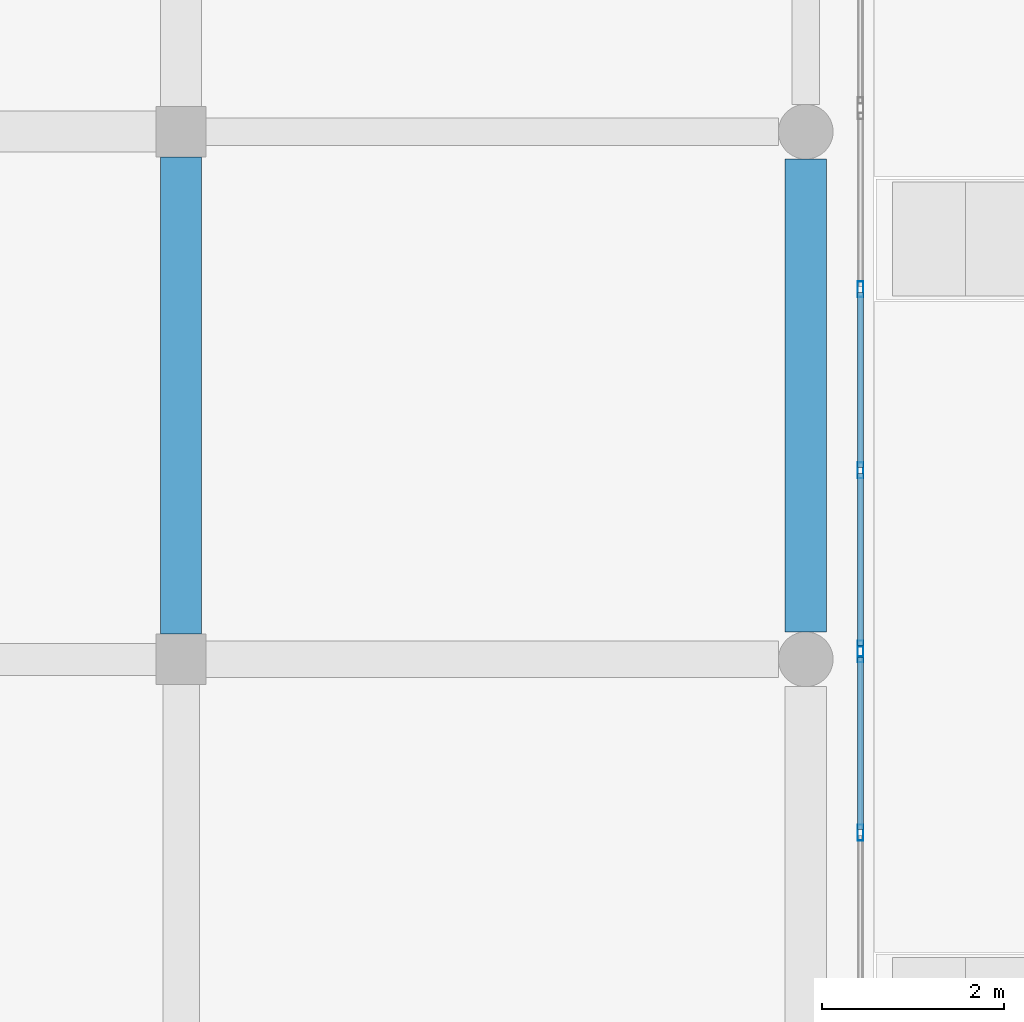
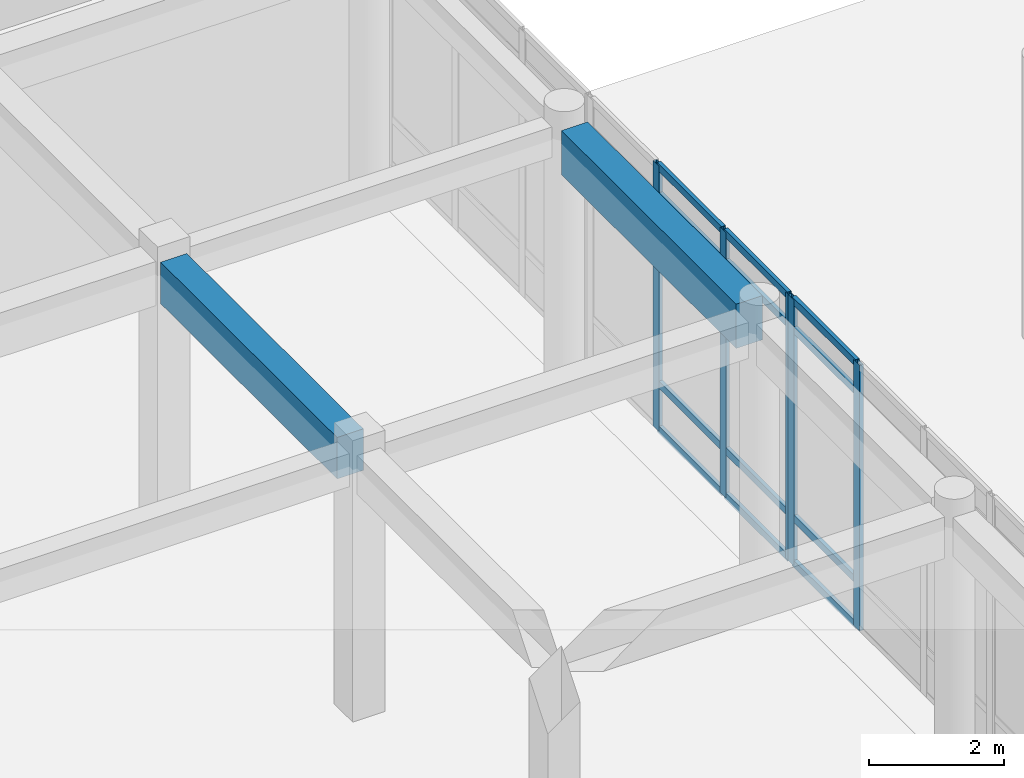
# One storey, part 38 of 121: 17 members, 2 beams, 2 elements without a shape of their own.
"""IFC4 building model written with IfcOpenShell, lengths in metres."""

from ifc_helpers import new_model, si_unit, direction, frame, origin, origin_2d, place, context, subcontext, project, spatial, rectangle, hollow_rectangle, extrude, material, layer, layer_set, material_profile, profile_set, type_object, element, aggregate, save


model = new_model("IFC4")

# Units and contexts
model_context = context("Model", 3, precision=1e-05, world=origin(), true_north=direction((0.0, 1.0)))
body_context = subcontext(model_context, "Body", "Model", "MODEL_VIEW")
ifc_project = project(units=[si_unit("LENGTHUNIT", "METRE"), si_unit("AREAUNIT", "SQUARE_METRE"), si_unit("VOLUMEUNIT", "CUBIC_METRE"), si_unit("PLANEANGLEUNIT", "RADIAN"), si_unit("MASSUNIT", "GRAM", prefix="KILO")], contexts=[model_context])

# Site, building, storey
site_placement = place(None, origin())
site = spatial("IfcSite", under=ifc_project, at=site_placement, CompositionType="ELEMENT")
building_placement = place(site_placement, origin())
building = spatial("IfcBuilding", under=site, at=building_placement, Name="Valcora Specialist Clinic", CompositionType="ELEMENT")
storey_placement = place(building_placement, origin())
storey = spatial("IfcBuildingStorey", under=building, at=storey_placement, Name="L00", CompositionType="ELEMENT", Elevation=0.0)

# Beams
ifc_material_1 = material(Name="Concrete C40/50", Category="concrete")
ifc_material_profile_1 = material_profile(ifc_material_1, rectangle(XDim=0.449951171875, YDim=0.75, at=origin_2d()), Name="RC-BM-450X750")
ifc_profile_set_1 = profile_set([ifc_material_profile_1], Name="Concrete C40/50")
beam_type_1 = type_object("IfcBeamType", Name="TY-BM-RC450X750", PredefinedType="BEAM", material=ifc_profile_set_1)
beam_1_placement = place(storey_placement, frame((22.39990234375, 62.16796875, 4.43505859375), z_axis=(0.0, 1.0, 0.0), x_axis=(-1.0, 0.0, 0.0)))
element("IfcBeam", 1, at=beam_1_placement, inside=storey, type_object=beam_type_1, Name="Beam BM-L00-0123", PredefinedType="BEAM", context=body_context, shape_type="SweptSolid", body=[
    extrude(rectangle(XDim=0.449951171875, YDim=0.75, at=origin_2d()), origin(), (0.0, 0.0, 1.0), 5.236083984375),
])
ifc_material_profile_2 = material_profile(ifc_material_1, rectangle(XDim=0.449951171875, YDim=0.800048828125, at=origin_2d()), Name="RC-BM-450X800")
ifc_profile_set_2 = profile_set([ifc_material_profile_2], Name="Concrete C40/50")
beam_type_2 = type_object("IfcBeamType", Name="TY-BM-RC450X800", PredefinedType="BEAM", material=ifc_profile_set_2)
beam_2_placement = place(storey_placement, frame((29.25, 62.193115234375, 4.409912109375), z_axis=(0.0, 1.0, 0.0), x_axis=(-1.0, 0.0, 0.0)))
element("IfcBeam", 2, at=beam_2_placement, inside=storey, type_object=beam_type_2, Name="Beam BM-L00-0130", PredefinedType="BEAM", context=body_context, shape_type="SweptSolid", body=[
    extrude(rectangle(XDim=0.449951171875, YDim=0.800048828125, at=origin_2d()), origin(), (0.0, 0.0, 1.0), 5.185791015625),
])

# Curtain wall, members
ifc_material_2 = material(Name="Anodized Bronze Aluminium 6063-T6", Category="aluminium")
ifc_layer = layer(ifc_material_2, 0.175048828125)
ifc_layer_set = layer_set([ifc_layer], Name="Anodized Bronze Aluminium 6063-T6")
curtain_wall_type = type_object("IfcCurtainWallType", Name="TY-CW-HAL18", PredefinedType="NOTDEFINED", material=ifc_layer_set)
curtain_wall_1_placement = place(storey_placement, origin())
curtain_wall_1 = element("IfcCurtainWall", 3, at=curtain_wall_1_placement, inside=storey, type_object=curtain_wall_type, Name="Curtain wall CW-L00-003", PredefinedType="NOTDEFINED")
ifc_material_profile_3 = material_profile(ifc_material_2, hollow_rectangle(XDim=0.06494140625, YDim=0.175048828125, WallThickness=0.00390625, at=origin_2d()), Name="AL-MUL-65X175")
ifc_profile_set_3 = profile_set([ifc_material_profile_3], Name="Anodized Bronze Aluminium 6063-T6")
member_type_1 = type_object("IfcMemberType", Name="TY-CWM-65X175", PredefinedType="MULLION", material=ifc_profile_set_3)
member_1_placement = place(storey_placement, frame((29.85009765625, 65.949951171875, 0.0), z_axis=(0.0, 0.0, 1.0), x_axis=(1.0, 0.0, 0.0)))
member_1 = element("IfcMember", 4, at=member_1_placement, type_object=member_type_1, Name="CW-HAL-18 mullion 2", PredefinedType="MULLION", context=body_context, shape_type="SweptSolid", body=[
    extrude(hollow_rectangle(XDim=0.06494140625, YDim=0.175048828125, WallThickness=0.00390625, at=origin_2d()), origin(), (0.0, 0.0, 1.0), 4.81005859375),
])
member_2_placement = place(storey_placement, frame((29.85009765625, 63.96435546875, 0.0), z_axis=(0.0, 0.0, 1.0), x_axis=(1.0, 0.0, 0.0)))
member_2 = element("IfcMember", 5, at=member_2_placement, type_object=member_type_1, Name="CW-HAL-18 mullion 3", PredefinedType="MULLION", context=body_context, shape_type="SweptSolid", body=[
    extrude(hollow_rectangle(XDim=0.06494140625, YDim=0.175048828125, WallThickness=0.00390625, at=origin_2d()), origin(), (0.0, 0.0, 1.0), 4.81005859375),
])
member_3_placement = place(storey_placement, frame((29.85009765625, 62.010986328125, 0.0), z_axis=(0.0, 0.0, 1.0), x_axis=(1.0, 0.0, 0.0)))
member_3 = element("IfcMember", 6, at=member_3_placement, type_object=member_type_1, Name="CW-HAL-18 mullion 4", PredefinedType="MULLION", context=body_context, shape_type="SweptSolid", body=[
    extrude(hollow_rectangle(XDim=0.06494140625, YDim=0.175048828125, WallThickness=0.00390625, at=origin_2d()), origin(), (0.0, 0.0, 1.0), 4.81005859375),
])

curtain_wall_2_placement = place(storey_placement, origin())
curtain_wall_2 = element("IfcCurtainWall", 7, at=curtain_wall_2_placement, inside=storey, type_object=curtain_wall_type, Name="Curtain wall CW-L00-004", PredefinedType="NOTDEFINED")
member_4_placement = place(storey_placement, frame((29.85009765625, 61.946044921875, 0.0), z_axis=(0.0, 0.0, 1.0), x_axis=(1.0, 0.0, 0.0)))
member_4 = element("IfcMember", 8, at=member_4_placement, type_object=member_type_1, Name="CW-HAL-18 mullion 1", PredefinedType="MULLION", context=body_context, shape_type="SweptSolid", body=[
    extrude(hollow_rectangle(XDim=0.06494140625, YDim=0.175048828125, WallThickness=0.00390625, at=origin_2d()), origin(), (0.0, 0.0, 1.0), 4.81005859375),
])
member_5_placement = place(storey_placement, frame((29.85009765625, 59.992919921875, 0.0), z_axis=(0.0, 0.0, 1.0), x_axis=(1.0, 0.0, 0.0)))
member_5 = element("IfcMember", 9, at=member_5_placement, type_object=member_type_1, Name="CW-HAL-18 mullion 2", PredefinedType="MULLION", context=body_context, shape_type="SweptSolid", body=[
    extrude(hollow_rectangle(XDim=0.06494140625, YDim=0.175048828125, WallThickness=0.00390625, at=origin_2d()), origin(), (0.0, 0.0, 1.0), 4.81005859375),
])

# Member
ifc_material_profile_4 = material_profile(ifc_material_2, hollow_rectangle(XDim=0.06494140625, YDim=0.1298828125, WallThickness=0.00390625, at=origin_2d()), Name="AL-TRN-65X130")
ifc_profile_set_4 = profile_set([ifc_material_profile_4], Name="Anodized Bronze Aluminium 6063-T6")
member_type_2 = type_object("IfcMemberType", Name="TY-CWT-65X130", PredefinedType="USERDEFINED", material=ifc_profile_set_4)
member_6_placement = place(storey_placement, frame((29.85009765625, 65.91748046875, 0.032470703125), z_axis=(0.0, -1.0, 0.0), x_axis=(1.0, 0.0, 0.0)))
member_6 = element("IfcMember", 10, at=member_6_placement, type_object=member_type_2, Name="CW-HAL-18 transom 2.1", ObjectType="TRANSOM", PredefinedType="USERDEFINED", context=body_context, shape_type="SweptSolid", body=[
    extrude(hollow_rectangle(XDim=0.06494140625, YDim=0.1298828125, WallThickness=0.00390625, at=origin_2d()), origin(), (0.0, 0.0, 1.0), 1.920654296875),
])

member_7_placement = place(storey_placement, frame((29.85009765625, 65.91748046875, 0.85009765625), z_axis=(0.0, -1.0, 0.0), x_axis=(1.0, 0.0, 0.0)))
member_7 = element("IfcMember", 11, at=member_7_placement, type_object=member_type_2, Name="CW-HAL-18 transom 2.2", ObjectType="TRANSOM", PredefinedType="USERDEFINED", context=body_context, shape_type="SweptSolid", body=[
    extrude(hollow_rectangle(XDim=0.06494140625, YDim=0.1298828125, WallThickness=0.00390625, at=origin_2d()), origin(), (0.0, 0.0, 1.0), 1.920654296875),
])

member_8_placement = place(storey_placement, frame((29.85009765625, 65.91748046875, 4.260009765625), z_axis=(0.0, -1.0, 0.0), x_axis=(1.0, 0.0, 0.0)))
member_8 = element("IfcMember", 12, at=member_8_placement, type_object=member_type_2, Name="CW-HAL-18 transom 2.3", ObjectType="TRANSOM", PredefinedType="USERDEFINED", context=body_context, shape_type="SweptSolid", body=[
    extrude(hollow_rectangle(XDim=0.06494140625, YDim=0.1298828125, WallThickness=0.00390625, at=origin_2d()), origin(), (0.0, 0.0, 1.0), 1.920654296875),
])

member_9_placement = place(storey_placement, frame((29.85009765625, 65.91748046875, 4.777587890625), z_axis=(0.0, -1.0, 0.0), x_axis=(1.0, 0.0, 0.0)))
member_9 = element("IfcMember", 13, at=member_9_placement, type_object=member_type_2, Name="CW-HAL-18 transom 2.4", ObjectType="TRANSOM", PredefinedType="USERDEFINED", context=body_context, shape_type="SweptSolid", body=[
    extrude(hollow_rectangle(XDim=0.06494140625, YDim=0.1298828125, WallThickness=0.00390625, at=origin_2d()), origin(), (0.0, 0.0, 1.0), 1.920654296875),
])

member_10_placement = place(storey_placement, frame((29.85009765625, 63.931884765625, 0.032470703125), z_axis=(0.0, -1.0, 0.0), x_axis=(1.0, 0.0, 0.0)))
member_10 = element("IfcMember", 14, at=member_10_placement, type_object=member_type_2, Name="CW-HAL-18 transom 3.1", ObjectType="TRANSOM", PredefinedType="USERDEFINED", context=body_context, shape_type="SweptSolid", body=[
    extrude(hollow_rectangle(XDim=0.06494140625, YDim=0.1298828125, WallThickness=0.00390625, at=origin_2d()), origin(), (0.0, 0.0, 1.0), 1.88818359375),
])

member_11_placement = place(storey_placement, frame((29.85009765625, 63.931884765625, 0.85009765625), z_axis=(0.0, -1.0, 0.0), x_axis=(1.0, 0.0, 0.0)))
member_11 = element("IfcMember", 15, at=member_11_placement, type_object=member_type_2, Name="CW-HAL-18 transom 3.2", ObjectType="TRANSOM", PredefinedType="USERDEFINED", context=body_context, shape_type="SweptSolid", body=[
    extrude(hollow_rectangle(XDim=0.06494140625, YDim=0.1298828125, WallThickness=0.00390625, at=origin_2d()), origin(), (0.0, 0.0, 1.0), 1.88818359375),
])

member_12_placement = place(storey_placement, frame((29.85009765625, 63.931884765625, 4.260009765625), z_axis=(0.0, -1.0, 0.0), x_axis=(1.0, 0.0, 0.0)))
member_12 = element("IfcMember", 16, at=member_12_placement, type_object=member_type_2, Name="CW-HAL-18 transom 3.3", ObjectType="TRANSOM", PredefinedType="USERDEFINED", context=body_context, shape_type="SweptSolid", body=[
    extrude(hollow_rectangle(XDim=0.06494140625, YDim=0.1298828125, WallThickness=0.00390625, at=origin_2d()), origin(), (0.0, 0.0, 1.0), 1.88818359375),
])

member_13_placement = place(storey_placement, frame((29.85009765625, 63.931884765625, 4.777587890625), z_axis=(0.0, -1.0, 0.0), x_axis=(1.0, 0.0, 0.0)))
member_13 = element("IfcMember", 17, at=member_13_placement, type_object=member_type_2, Name="CW-HAL-18 transom 3.4", ObjectType="TRANSOM", PredefinedType="USERDEFINED", context=body_context, shape_type="SweptSolid", body=[
    extrude(hollow_rectangle(XDim=0.06494140625, YDim=0.1298828125, WallThickness=0.00390625, at=origin_2d()), origin(), (0.0, 0.0, 1.0), 1.88818359375),
])

aggregate(curtain_wall_1, [member_1, member_2, member_3, member_6, member_7, member_8, member_9, member_10, member_11, member_12, member_13])

member_14_placement = place(storey_placement, frame((29.85009765625, 61.91357421875, 0.032470703125), z_axis=(0.0, -1.0, 0.0), x_axis=(1.0, 0.0, 0.0)))
member_14 = element("IfcMember", 18, at=member_14_placement, type_object=member_type_2, Name="CW-HAL-18 transom 1.1", ObjectType="TRANSOM", PredefinedType="USERDEFINED", context=body_context, shape_type="SweptSolid", body=[
    extrude(hollow_rectangle(XDim=0.06494140625, YDim=0.1298828125, WallThickness=0.00390625, at=origin_2d()), origin(), (0.0, 0.0, 1.0), 1.88818359375),
])

member_15_placement = place(storey_placement, frame((29.85009765625, 61.91357421875, 0.85009765625), z_axis=(0.0, -1.0, 0.0), x_axis=(1.0, 0.0, 0.0)))
member_15 = element("IfcMember", 19, at=member_15_placement, type_object=member_type_2, Name="CW-HAL-18 transom 1.2", ObjectType="TRANSOM", PredefinedType="USERDEFINED", context=body_context, shape_type="SweptSolid", body=[
    extrude(hollow_rectangle(XDim=0.06494140625, YDim=0.1298828125, WallThickness=0.00390625, at=origin_2d()), origin(), (0.0, 0.0, 1.0), 1.88818359375),
])

member_16_placement = place(storey_placement, frame((29.85009765625, 61.91357421875, 4.260009765625), z_axis=(0.0, -1.0, 0.0), x_axis=(1.0, 0.0, 0.0)))
member_16 = element("IfcMember", 20, at=member_16_placement, type_object=member_type_2, Name="CW-HAL-18 transom 1.3", ObjectType="TRANSOM", PredefinedType="USERDEFINED", context=body_context, shape_type="SweptSolid", body=[
    extrude(hollow_rectangle(XDim=0.06494140625, YDim=0.1298828125, WallThickness=0.00390625, at=origin_2d()), origin(), (0.0, 0.0, 1.0), 1.88818359375),
])

member_17_placement = place(storey_placement, frame((29.85009765625, 61.91357421875, 4.777587890625), z_axis=(0.0, -1.0, 0.0), x_axis=(1.0, 0.0, 0.0)))
member_17 = element("IfcMember", 21, at=member_17_placement, type_object=member_type_2, Name="CW-HAL-18 transom 1.4", ObjectType="TRANSOM", PredefinedType="USERDEFINED", context=body_context, shape_type="SweptSolid", body=[
    extrude(hollow_rectangle(XDim=0.06494140625, YDim=0.1298828125, WallThickness=0.00390625, at=origin_2d()), origin(), (0.0, 0.0, 1.0), 1.88818359375),
])

aggregate(curtain_wall_2, [member_4, member_5, member_14, member_15, member_16, member_17])

save(model, "model.ifc")
